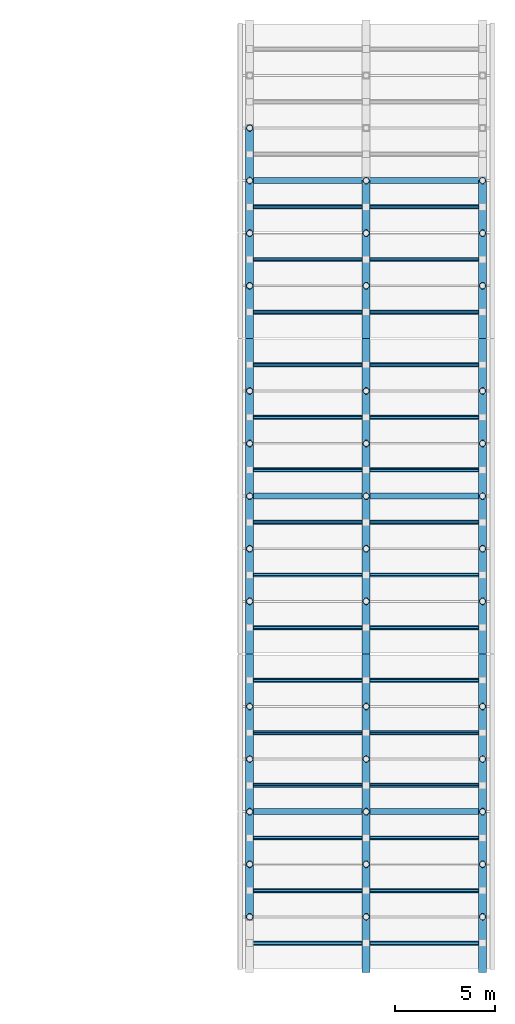
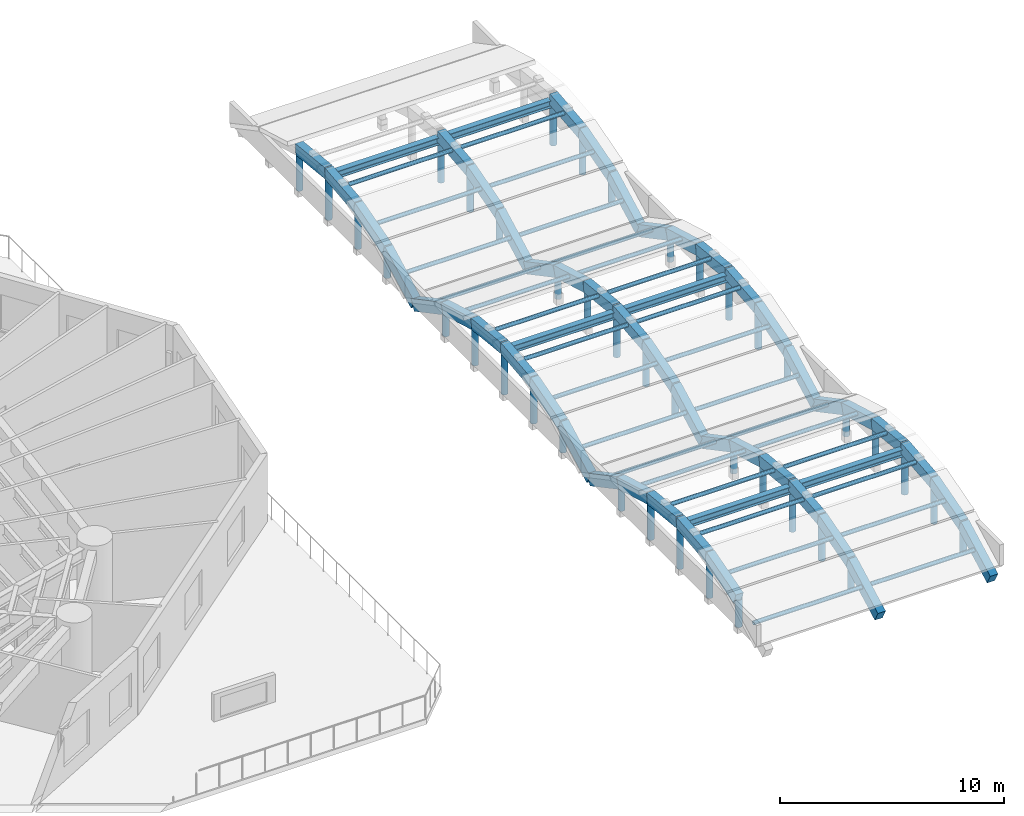
# One storey, part 3 of 16: 70 members, 51 beams.
"""IFC4 building model written with IfcOpenShell, lengths in metres."""

from ifc_helpers import new_model, si_unit, direction, frame, origin, origin_with_axes, origin_2d, place, context, subcontext, project, spatial, rectangle, hollow_circle, i_section, extrude, source, transform, mapped, material, material_profile, profile_set, type_object, element, save


model = new_model("IFC4")

# Units and contexts
model_context = context("Model", 3, precision=1e-05, world=origin(), true_north=direction((0.0, 1.0)))
body_context = subcontext(model_context, "Body", "Model", "MODEL_VIEW")
ifc_project = project(units=[si_unit("LENGTHUNIT", "METRE"), si_unit("AREAUNIT", "SQUARE_METRE"), si_unit("VOLUMEUNIT", "CUBIC_METRE"), si_unit("PLANEANGLEUNIT", "RADIAN"), si_unit("MASSUNIT", "GRAM", prefix="KILO")], contexts=[model_context])

# Site, building, storey
site_placement = place(None, origin())
site = spatial("IfcSite", under=ifc_project, at=site_placement, CompositionType="ELEMENT")
building_placement = place(site_placement, origin())
building = spatial("IfcBuilding", under=site, at=building_placement, Name="Karkom Vertical University and Central Library", CompositionType="ELEMENT")
storey_placement = place(building_placement, frame((0.0, 0.0, 22.5)))
storey = spatial("IfcBuildingStorey", under=building, at=storey_placement, Name="L05", CompositionType="ELEMENT", Elevation=22.5)

# Members
ifc_material_1 = material(Name="Steel S355", Category="steel")
ifc_material_profile_1 = material_profile(ifc_material_1, hollow_circle(Radius=0.109619140625, WallThickness=0.012451171875, at=origin_2d()), Name="CHS 219.1x12.5")
ifc_profile_set_1 = profile_set([ifc_material_profile_1], Name="Steel S355")
member_type_1 = type_object("IfcMemberType", Name="STR-MEM-PR-1", PredefinedType="PURLIN", material=ifc_profile_set_1)
shared_shape_1 = source(origin_with_axes(), body_context, "Body", "SweptSolid", [
    extrude(hollow_circle(Radius=0.109619140625, WallThickness=0.012451171875, at=origin_2d()), origin(), (0.0, 0.0, 1.0), 5.7998046875),
])
for number, where, z_axis, x_axis, name in (
    (1, (69.60009765625, 4.22998046875, 0.302490234375), (1.0, 0.0, 0.0), (0.0, 1.0, 0.0), "Library Vault 1 Purlin 1.1"),
    (2, (69.60009765625, 6.85009765625, 1.39501953125), (1.0, 0.0, 0.0), (0.0, 1.0, 0.0), "Library Vault 1 Purlin 2.1"),
    (3, (69.60009765625, 9.469970703125, 1.916015625), (1.0, 0.0, 0.0), (0.0, 1.0, 0.0), "Library Vault 1 Purlin 3.1"),
    (4, (69.60009765625, 12.090087890625, 1.916015625), (1.0, 0.0, 0.0), (0.0, 1.0, 0.0), "Library Vault 1 Purlin 4.1"),
    (5, (69.60009765625, 14.7099609375, 1.39501953125), (1.0, 0.0, 0.0), (0.0, 1.0, 0.0), "Library Vault 1 Purlin 5.1"),
    (6, (69.60009765625, 17.330078125, 0.302490234375), (1.0, 0.0, 0.0), (0.0, 1.0, 0.0), "Library Vault 1 Purlin 6.1"),
    (7, (69.60009765625, 19.949951171875, 0.302490234375), (1.0, 0.0, 0.0), (0.0, 1.0, 0.0), "Library Vault 2 Purlin 1.1"),
    (8, (69.60009765625, 22.570068359375, 1.39501953125), (1.0, 0.0, 0.0), (0.0, 1.0, 0.0), "Library Vault 2 Purlin 2.1"),
    (9, (69.60009765625, 25.18994140625, 1.916015625), (1.0, 0.0, 0.0), (0.0, 1.0, 0.0), "Library Vault 2 Purlin 3.1"),
    (10, (69.60009765625, 27.81005859375, 1.916015625), (1.0, 0.0, 0.0), (0.0, 1.0, 0.0), "Library Vault 2 Purlin 4.1"),
    (11, (69.60009765625, 30.429931640625, 1.39501953125), (1.0, 0.0, 0.0), (0.0, 1.0, 0.0), "Library Vault 2 Purlin 5.1"),
    (12, (69.60009765625, 33.050048828125, 0.302490234375), (1.0, 0.0, 0.0), (0.0, 1.0, 0.0), "Library Vault 2 Purlin 6.1"),
    (13, (69.60009765625, 35.669921875, 0.302490234375), (1.0, 0.0, 0.0), (0.0, 1.0, 0.0), "Library Vault 3 Purlin 1.1"),
    (14, (69.60009765625, 38.2900390625, 1.39501953125), (1.0, 0.0, 0.0), (0.0, 1.0, 0.0), "Library Vault 3 Purlin 2.1"),
    (15, (69.60009765625, 40.909912109375, 1.916015625), (1.0, 0.0, 0.0), (0.0, 1.0, 0.0), "Library Vault 3 Purlin 3.1"),
):
    element("IfcMember", number, at=place(storey_placement, frame(where, z_axis=z_axis, x_axis=x_axis)), inside=storey, type_object=member_type_1, Name=name, PredefinedType="PURLIN", context=body_context, shape_type="MappedRepresentation", body=[
        mapped(shared_shape_1, transform((0.0, 0.0, 0.0), scale=1.0)),
    ])
shared_shape_2 = source(origin_with_axes(), body_context, "Body", "SweptSolid", [
    extrude(hollow_circle(Radius=0.109619140625, WallThickness=0.012451171875, at=origin_2d()), origin(), (0.0, 0.0, 1.0), 5.800048828125),
])
for number, where, z_axis, x_axis, name in (
    (16, (75.39990234375, 4.22998046875, 0.302490234375), (1.0, 0.0, 0.0), (0.0, 1.0, 0.0), "Library Vault 1 Purlin 1.2"),
    (17, (75.39990234375, 6.85009765625, 1.39501953125), (1.0, 0.0, 0.0), (0.0, 1.0, 0.0), "Library Vault 1 Purlin 2.2"),
    (18, (75.39990234375, 9.469970703125, 1.916015625), (1.0, 0.0, 0.0), (0.0, 1.0, 0.0), "Library Vault 1 Purlin 3.2"),
    (19, (75.39990234375, 12.090087890625, 1.916015625), (1.0, 0.0, 0.0), (0.0, 1.0, 0.0), "Library Vault 1 Purlin 4.2"),
    (20, (75.39990234375, 14.7099609375, 1.39501953125), (1.0, 0.0, 0.0), (0.0, 1.0, 0.0), "Library Vault 1 Purlin 5.2"),
    (21, (75.39990234375, 17.330078125, 0.302490234375), (1.0, 0.0, 0.0), (0.0, 1.0, 0.0), "Library Vault 1 Purlin 6.2"),
    (22, (75.39990234375, 19.949951171875, 0.302490234375), (1.0, 0.0, 0.0), (0.0, 1.0, 0.0), "Library Vault 2 Purlin 1.2"),
    (23, (75.39990234375, 22.570068359375, 1.39501953125), (1.0, 0.0, 0.0), (0.0, 1.0, 0.0), "Library Vault 2 Purlin 2.2"),
    (24, (75.39990234375, 25.18994140625, 1.916015625), (1.0, 0.0, 0.0), (0.0, 1.0, 0.0), "Library Vault 2 Purlin 3.2"),
    (25, (75.39990234375, 27.81005859375, 1.916015625), (1.0, 0.0, 0.0), (0.0, 1.0, 0.0), "Library Vault 2 Purlin 4.2"),
    (26, (75.39990234375, 30.429931640625, 1.39501953125), (1.0, 0.0, 0.0), (0.0, 1.0, 0.0), "Library Vault 2 Purlin 5.2"),
    (27, (75.39990234375, 33.050048828125, 0.302490234375), (1.0, 0.0, 0.0), (0.0, 1.0, 0.0), "Library Vault 2 Purlin 6.2"),
    (28, (75.39990234375, 35.669921875, 0.302490234375), (1.0, 0.0, 0.0), (0.0, 1.0, 0.0), "Library Vault 3 Purlin 1.2"),
    (29, (75.39990234375, 38.2900390625, 1.39501953125), (1.0, 0.0, 0.0), (0.0, 1.0, 0.0), "Library Vault 3 Purlin 2.2"),
    (30, (75.39990234375, 40.909912109375, 1.916015625), (1.0, 0.0, 0.0), (0.0, 1.0, 0.0), "Library Vault 3 Purlin 3.2"),
):
    element("IfcMember", number, at=place(storey_placement, frame(where, z_axis=z_axis, x_axis=x_axis)), inside=storey, type_object=member_type_1, Name=name, PredefinedType="PURLIN", context=body_context, shape_type="MappedRepresentation", body=[
        mapped(shared_shape_2, transform((0.0, 0.0, 0.0), scale=1.0)),
    ])
ifc_material_profile_2 = material_profile(ifc_material_1, hollow_circle(Radius=0.161865234375, WallThickness=0.01611328125, at=origin_2d()), Name="CHS 323.9x16")
ifc_profile_set_2 = profile_set([ifc_material_profile_2], Name="Steel S355")
member_type_2 = type_object("IfcMemberType", Name="STR-MEM-PT-1", PredefinedType="POST", material=ifc_profile_set_2)
shared_shape_3 = source(origin_with_axes(), body_context, "Body", "SweptSolid", [
    extrude(hollow_circle(Radius=0.161865234375, WallThickness=0.01611328125, at=origin_2d()), origin(), (0.0, 0.0, 1.0), 1.5029296875),
])
for number, where, z_axis, x_axis, name in (
    (31, (69.60009765625, 5.5400390625, -0.64990234375), (0.0, 0.0, 1.0), (1.0, 0.0, 0.0), "Library Vault 1 Vierendeel Arch Post 1.1"),
    (32, (69.60009765625, 16.02001953125, -0.64990234375), (0.0, 0.0, 1.0), (1.0, 0.0, 0.0), "Library Vault 1 Vierendeel Arch Post 1.5"),
    (33, (75.39990234375, 5.5400390625, -0.64990234375), (0.0, 0.0, 1.0), (1.0, 0.0, 0.0), "Library Vault 1 Vierendeel Arch Post 2.1"),
    (34, (75.39990234375, 16.02001953125, -0.64990234375), (0.0, 0.0, 1.0), (1.0, 0.0, 0.0), "Library Vault 1 Vierendeel Arch Post 2.5"),
    (35, (81.199951171875, 5.5400390625, -0.64990234375), (0.0, 0.0, 1.0), (1.0, 0.0, 0.0), "Library Vault 1 Vierendeel Arch Post 3.1"),
    (36, (81.199951171875, 16.02001953125, -0.64990234375), (0.0, 0.0, 1.0), (1.0, 0.0, 0.0), "Library Vault 1 Vierendeel Arch Post 3.5"),
    (37, (69.60009765625, 21.260009765625, -0.64990234375), (0.0, 0.0, 1.0), (1.0, 0.0, 0.0), "Library Vault 2 Vierendeel Arch Post 1.1"),
    (38, (69.60009765625, 31.739990234375, -0.64990234375), (0.0, 0.0, 1.0), (1.0, 0.0, 0.0), "Library Vault 2 Vierendeel Arch Post 1.5"),
    (39, (75.39990234375, 21.260009765625, -0.64990234375), (0.0, 0.0, 1.0), (1.0, 0.0, 0.0), "Library Vault 2 Vierendeel Arch Post 2.1"),
    (40, (75.39990234375, 31.739990234375, -0.64990234375), (0.0, 0.0, 1.0), (1.0, 0.0, 0.0), "Library Vault 2 Vierendeel Arch Post 2.5"),
    (41, (81.199951171875, 21.260009765625, -0.64990234375), (0.0, 0.0, 1.0), (1.0, 0.0, 0.0), "Library Vault 2 Vierendeel Arch Post 3.1"),
    (42, (81.199951171875, 31.739990234375, -0.64990234375), (0.0, 0.0, 1.0), (1.0, 0.0, 0.0), "Library Vault 2 Vierendeel Arch Post 3.5"),
    (43, (69.60009765625, 36.97998046875, -0.64990234375), (0.0, 0.0, 1.0), (1.0, 0.0, 0.0), "Library Vault 3 Vierendeel Arch Post 1.1"),
    (44, (75.39990234375, 36.97998046875, -0.64990234375), (0.0, 0.0, 1.0), (1.0, 0.0, 0.0), "Library Vault 3 Vierendeel Arch Post 2.1"),
    (45, (81.199951171875, 36.97998046875, -0.64990234375), (0.0, 0.0, 1.0), (1.0, 0.0, 0.0), "Library Vault 3 Vierendeel Arch Post 3.1"),
):
    element("IfcMember", number, at=place(storey_placement, frame(where, z_axis=z_axis, x_axis=x_axis)), inside=storey, type_object=member_type_2, Name=name, PredefinedType="POST", context=body_context, shape_type="MappedRepresentation", body=[
        mapped(shared_shape_3, transform((0.0, 0.0, 0.0), scale=1.0)),
    ])
shared_shape_4 = source(origin_with_axes(), body_context, "Body", "SweptSolid", [
    extrude(hollow_circle(Radius=0.161865234375, WallThickness=0.01611328125, at=origin_2d()), origin(), (0.0, 0.0, 1.0), 2.25439453125),
])
for number, where, z_axis, x_axis, name in (
    (46, (69.60009765625, 8.159912109375, -0.64990234375), (0.0, 0.0, 1.0), (1.0, 0.0, 0.0), "Library Vault 1 Vierendeel Arch Post 1.2"),
    (47, (69.60009765625, 13.39990234375, -0.64990234375), (0.0, 0.0, 1.0), (1.0, 0.0, 0.0), "Library Vault 1 Vierendeel Arch Post 1.4"),
    (48, (75.39990234375, 8.159912109375, -0.64990234375), (0.0, 0.0, 1.0), (1.0, 0.0, 0.0), "Library Vault 1 Vierendeel Arch Post 2.2"),
    (49, (75.39990234375, 13.39990234375, -0.64990234375), (0.0, 0.0, 1.0), (1.0, 0.0, 0.0), "Library Vault 1 Vierendeel Arch Post 2.4"),
    (50, (81.199951171875, 8.159912109375, -0.64990234375), (0.0, 0.0, 1.0), (1.0, 0.0, 0.0), "Library Vault 1 Vierendeel Arch Post 3.2"),
    (51, (81.199951171875, 13.39990234375, -0.64990234375), (0.0, 0.0, 1.0), (1.0, 0.0, 0.0), "Library Vault 1 Vierendeel Arch Post 3.4"),
    (52, (69.60009765625, 23.8798828125, -0.64990234375), (0.0, 0.0, 1.0), (1.0, 0.0, 0.0), "Library Vault 2 Vierendeel Arch Post 1.2"),
    (53, (69.60009765625, 29.1201171875, -0.64990234375), (0.0, 0.0, 1.0), (1.0, 0.0, 0.0), "Library Vault 2 Vierendeel Arch Post 1.4"),
    (54, (75.39990234375, 23.8798828125, -0.64990234375), (0.0, 0.0, 1.0), (1.0, 0.0, 0.0), "Library Vault 2 Vierendeel Arch Post 2.2"),
    (55, (75.39990234375, 29.1201171875, -0.64990234375), (0.0, 0.0, 1.0), (1.0, 0.0, 0.0), "Library Vault 2 Vierendeel Arch Post 2.4"),
    (56, (81.199951171875, 23.8798828125, -0.64990234375), (0.0, 0.0, 1.0), (1.0, 0.0, 0.0), "Library Vault 2 Vierendeel Arch Post 3.2"),
    (57, (81.199951171875, 29.1201171875, -0.64990234375), (0.0, 0.0, 1.0), (1.0, 0.0, 0.0), "Library Vault 2 Vierendeel Arch Post 3.4"),
    (58, (69.60009765625, 39.60009765625, -0.64990234375), (0.0, 0.0, 1.0), (1.0, 0.0, 0.0), "Library Vault 3 Vierendeel Arch Post 1.2"),
    (59, (69.60009765625, 44.840087890625, -0.64990234375), (0.0, 0.0, 1.0), (1.0, 0.0, 0.0), "Library Vault 3 Vierendeel Arch Post 1.4"),
    (60, (75.39990234375, 39.60009765625, -0.64990234375), (0.0, 0.0, 1.0), (1.0, 0.0, 0.0), "Library Vault 3 Vierendeel Arch Post 2.2"),
    (61, (81.199951171875, 39.60009765625, -0.64990234375), (0.0, 0.0, 1.0), (1.0, 0.0, 0.0), "Library Vault 3 Vierendeel Arch Post 3.2"),
):
    element("IfcMember", number, at=place(storey_placement, frame(where, z_axis=z_axis, x_axis=x_axis)), inside=storey, type_object=member_type_2, Name=name, PredefinedType="POST", context=body_context, shape_type="MappedRepresentation", body=[
        mapped(shared_shape_4, transform((0.0, 0.0, 0.0), scale=1.0)),
    ])
shared_shape_5 = source(origin_with_axes(), body_context, "Body", "SweptSolid", [
    extrude(hollow_circle(Radius=0.161865234375, WallThickness=0.01611328125, at=origin_2d()), origin(), (0.0, 0.0, 1.0), 2.52978515625),
])
for number, where, z_axis, x_axis, name in (
    (62, (69.60009765625, 10.780029296875, -0.64990234375), (0.0, 0.0, 1.0), (1.0, 0.0, 0.0), "Library Vault 1 Vierendeel Arch Post 1.3"),
    (63, (75.39990234375, 10.780029296875, -0.64990234375), (0.0, 0.0, 1.0), (1.0, 0.0, 0.0), "Library Vault 1 Vierendeel Arch Post 2.3"),
    (64, (81.199951171875, 10.780029296875, -0.64990234375), (0.0, 0.0, 1.0), (1.0, 0.0, 0.0), "Library Vault 1 Vierendeel Arch Post 3.3"),
    (65, (69.60009765625, 26.5, -0.64990234375), (0.0, 0.0, 1.0), (1.0, 0.0, 0.0), "Library Vault 2 Vierendeel Arch Post 1.3"),
    (66, (75.39990234375, 26.5, -0.64990234375), (0.0, 0.0, 1.0), (1.0, 0.0, 0.0), "Library Vault 2 Vierendeel Arch Post 2.3"),
    (67, (81.199951171875, 26.5, -0.64990234375), (0.0, 0.0, 1.0), (1.0, 0.0, 0.0), "Library Vault 2 Vierendeel Arch Post 3.3"),
    (68, (69.60009765625, 42.219970703125, -0.64990234375), (0.0, 0.0, 1.0), (1.0, 0.0, 0.0), "Library Vault 3 Vierendeel Arch Post 1.3"),
    (69, (75.39990234375, 42.219970703125, -0.64990234375), (0.0, 0.0, 1.0), (1.0, 0.0, 0.0), "Library Vault 3 Vierendeel Arch Post 2.3"),
    (70, (81.199951171875, 42.219970703125, -0.64990234375), (0.0, 0.0, 1.0), (1.0, 0.0, 0.0), "Library Vault 3 Vierendeel Arch Post 3.3"),
):
    element("IfcMember", number, at=place(storey_placement, frame(where, z_axis=z_axis, x_axis=x_axis)), inside=storey, type_object=member_type_2, Name=name, PredefinedType="POST", context=body_context, shape_type="MappedRepresentation", body=[
        mapped(shared_shape_5, transform((0.0, 0.0, 0.0), scale=1.0)),
    ])

# Beams
ifc_material_2 = material(Name="Precast concrete C45/55", Category="concrete")
ifc_material_profile_3 = material_profile(ifc_material_2, rectangle(XDim=0.39990234375, YDim=0.60009765625, at=origin_2d()), Name="RCB-400x600")
ifc_profile_set_3 = profile_set([ifc_material_profile_3], Name="Precast concrete C45/55")
beam_type_1 = type_object("IfcBeamType", Name="STR-BM-VA-1", PredefinedType="BEAM", material=ifc_profile_set_3)
shared_shape_6 = source(origin_with_axes(), body_context, "Body", "SweptSolid", [
    extrude(rectangle(XDim=0.39990234375, YDim=0.60009765625, at=origin_2d()), origin(), (0.0, 0.0, 1.0), 2.967529296875),
])
for number, where, z_axis, x_axis, name in (
    (71, (75.39990234375, 2.919921875, -0.5400390625), (0.0, 0.882958015485, 0.469451960153), (-1.0, 0.0, 0.0), "Library Vault 1 Arch Rib 2 Chord 1"),
    (72, (81.199951171875, 2.919921875, -0.5400390625), (0.0, 0.882958015485, 0.469451960153), (-1.0, 0.0, 0.0), "Library Vault 1 Arch Rib 3 Chord 1"),
    (73, (69.60009765625, 18.639892578125, -0.5400390625), (0.0, 0.882958015485, 0.469451960153), (-1.0, 0.0, 0.0), "Library Vault 2 Arch Rib 1 Chord 1"),
    (74, (69.60009765625, 31.739990234375, 0.85302734375), (0.0, 0.882958015485, -0.469451960153), (-1.0, 0.0, 0.0), "Library Vault 2 Arch Rib 1 Chord 6"),
    (75, (75.39990234375, 18.639892578125, -0.5400390625), (0.0, 0.882958015485, 0.469451960153), (-1.0, 0.0, 0.0), "Library Vault 2 Arch Rib 2 Chord 1"),
    (76, (75.39990234375, 31.739990234375, 0.85302734375), (0.0, 0.882958015485, -0.469451960153), (-1.0, 0.0, 0.0), "Library Vault 2 Arch Rib 2 Chord 6"),
    (77, (81.199951171875, 18.639892578125, -0.5400390625), (0.0, 0.882958015485, 0.469451960153), (-1.0, 0.0, 0.0), "Library Vault 2 Arch Rib 3 Chord 1"),
    (78, (81.199951171875, 31.739990234375, 0.85302734375), (0.0, 0.882958015485, -0.469451960153), (-1.0, 0.0, 0.0), "Library Vault 2 Arch Rib 3 Chord 6"),
):
    element("IfcBeam", number, at=place(storey_placement, frame(where, z_axis=z_axis, x_axis=x_axis)), inside=storey, type_object=beam_type_1, Name=name, PredefinedType="BEAM", context=body_context, shape_type="MappedRepresentation", body=[
        mapped(shared_shape_6, transform((0.0, 0.0, 0.0), scale=1.0)),
    ])
shared_shape_7 = source(origin_with_axes(), body_context, "Body", "SweptSolid", [
    extrude(rectangle(XDim=0.39990234375, YDim=0.60009765625, at=origin_2d()), origin(), (0.0, 0.0, 1.0), 2.7255859375),
])
for number, where, z_axis, x_axis, name in (
    (79, (69.60009765625, 5.5400390625, 0.85302734375), (0.0, 0.961239495222, 0.275714767151), (-1.0, 0.0, 0.0), "Library Vault 1 Arch Rib 1 Chord 2"),
    (80, (75.39990234375, 5.5400390625, 0.85302734375), (0.0, 0.961239495222, 0.275714767151), (-1.0, 0.0, 0.0), "Library Vault 1 Arch Rib 2 Chord 2"),
    (81, (81.199951171875, 5.5400390625, 0.85302734375), (0.0, 0.961239495222, 0.275714767151), (-1.0, 0.0, 0.0), "Library Vault 1 Arch Rib 3 Chord 2"),
    (82, (69.60009765625, 21.260009765625, 0.85302734375), (0.0, 0.961239495222, 0.275714767151), (-1.0, 0.0, 0.0), "Library Vault 2 Arch Rib 1 Chord 2"),
    (83, (69.60009765625, 29.1201171875, 1.6044921875), (0.0, 0.961239495222, -0.275714767151), (-1.0, 0.0, 0.0), "Library Vault 2 Arch Rib 1 Chord 5"),
    (84, (75.39990234375, 21.260009765625, 0.85302734375), (0.0, 0.961239495222, 0.275714767151), (-1.0, 0.0, 0.0), "Library Vault 2 Arch Rib 2 Chord 2"),
    (85, (75.39990234375, 29.1201171875, 1.6044921875), (0.0, 0.961239495222, -0.275714767151), (-1.0, 0.0, 0.0), "Library Vault 2 Arch Rib 2 Chord 5"),
    (86, (81.199951171875, 21.260009765625, 0.85302734375), (0.0, 0.961239495222, 0.275714767151), (-1.0, 0.0, 0.0), "Library Vault 2 Arch Rib 3 Chord 2"),
    (87, (81.199951171875, 29.1201171875, 1.6044921875), (0.0, 0.961239495222, -0.275714767151), (-1.0, 0.0, 0.0), "Library Vault 2 Arch Rib 3 Chord 5"),
):
    element("IfcBeam", number, at=place(storey_placement, frame(where, z_axis=z_axis, x_axis=x_axis)), inside=storey, type_object=beam_type_1, Name=name, PredefinedType="BEAM", context=body_context, shape_type="MappedRepresentation", body=[
        mapped(shared_shape_7, transform((0.0, 0.0, 0.0), scale=1.0)),
    ])
shared_shape_8 = source(origin_with_axes(), body_context, "Body", "SweptSolid", [
    extrude(rectangle(XDim=0.39990234375, YDim=0.60009765625, at=origin_2d()), origin(), (0.0, 0.0, 1.0), 2.634521484375),
])
for number, where, z_axis, x_axis, name in (
    (88, (69.60009765625, 8.159912109375, 1.6044921875), (0.0, 0.99452168972, 0.104530419866), (-1.0, 0.0, 0.0), "Library Vault 1 Arch Rib 1 Chord 3"),
    (89, (75.39990234375, 8.159912109375, 1.6044921875), (0.0, 0.99452168972, 0.104530419866), (-1.0, 0.0, 0.0), "Library Vault 1 Arch Rib 2 Chord 3"),
    (90, (81.199951171875, 8.159912109375, 1.6044921875), (0.0, 0.99452168972, 0.104530419866), (-1.0, 0.0, 0.0), "Library Vault 1 Arch Rib 3 Chord 3"),
    (91, (69.60009765625, 23.8798828125, 1.6044921875), (0.0, 0.99452168972, 0.104530419866), (-1.0, 0.0, 0.0), "Library Vault 2 Arch Rib 1 Chord 3"),
    (92, (69.60009765625, 26.5, 1.8798828125), (0.0, 0.99452168972, -0.104530419866), (-1.0, 0.0, 0.0), "Library Vault 2 Arch Rib 1 Chord 4"),
    (93, (75.39990234375, 23.8798828125, 1.6044921875), (0.0, 0.99452168972, 0.104530419866), (-1.0, 0.0, 0.0), "Library Vault 2 Arch Rib 2 Chord 3"),
    (94, (75.39990234375, 26.5, 1.8798828125), (0.0, 0.99452168972, -0.104530419866), (-1.0, 0.0, 0.0), "Library Vault 2 Arch Rib 2 Chord 4"),
    (95, (81.199951171875, 23.8798828125, 1.6044921875), (0.0, 0.99452168972, 0.104530419866), (-1.0, 0.0, 0.0), "Library Vault 2 Arch Rib 3 Chord 3"),
    (96, (81.199951171875, 26.5, 1.8798828125), (0.0, 0.99452168972, -0.104530419866), (-1.0, 0.0, 0.0), "Library Vault 2 Arch Rib 3 Chord 4"),
    (97, (69.60009765625, 42.219970703125, 1.8798828125), (0.0, 0.99452168972, -0.104530419866), (-1.0, 0.0, 0.0), "Library Vault 3 Arch Rib 1 Chord 4"),
):
    element("IfcBeam", number, at=place(storey_placement, frame(where, z_axis=z_axis, x_axis=x_axis)), inside=storey, type_object=beam_type_1, Name=name, PredefinedType="BEAM", context=body_context, shape_type="MappedRepresentation", body=[
        mapped(shared_shape_8, transform((0.0, 0.0, 0.0), scale=1.0)),
    ])
shared_shape_9 = source(origin_with_axes(), body_context, "Body", "SweptSolid", [
    extrude(rectangle(XDim=0.39990234375, YDim=0.60009765625, at=origin_2d()), origin(), (0.0, 0.0, 1.0), 2.63427734375),
])
for number, where, z_axis, x_axis, name in (
    (98, (69.60009765625, 10.780029296875, 1.8798828125), (0.0, 0.994520677024, -0.104540054392), (-1.0, 0.0, 0.0), "Library Vault 1 Arch Rib 1 Chord 4"),
    (99, (75.39990234375, 10.780029296875, 1.8798828125), (0.0, 0.994520677024, -0.104540054392), (-1.0, 0.0, 0.0), "Library Vault 1 Arch Rib 2 Chord 4"),
    (100, (81.199951171875, 10.780029296875, 1.8798828125), (0.0, 0.994520677024, -0.104540054392), (-1.0, 0.0, 0.0), "Library Vault 1 Arch Rib 3 Chord 4"),
    (101, (69.60009765625, 39.60009765625, 1.6044921875), (0.0, 0.994520677024, 0.104540054392), (-1.0, 0.0, 0.0), "Library Vault 3 Arch Rib 1 Chord 3"),
    (102, (75.39990234375, 39.60009765625, 1.6044921875), (0.0, 0.994520677024, 0.104540054392), (-1.0, 0.0, 0.0), "Library Vault 3 Arch Rib 2 Chord 3"),
    (103, (81.199951171875, 39.60009765625, 1.6044921875), (0.0, 0.994520677024, 0.104540054392), (-1.0, 0.0, 0.0), "Library Vault 3 Arch Rib 3 Chord 3"),
):
    element("IfcBeam", number, at=place(storey_placement, frame(where, z_axis=z_axis, x_axis=x_axis)), inside=storey, type_object=beam_type_1, Name=name, PredefinedType="BEAM", context=body_context, shape_type="MappedRepresentation", body=[
        mapped(shared_shape_9, transform((0.0, 0.0, 0.0), scale=1.0)),
    ])
shared_shape_10 = source(origin_with_axes(), body_context, "Body", "SweptSolid", [
    extrude(rectangle(XDim=0.39990234375, YDim=0.60009765625, at=origin_2d()), origin(), (0.0, 0.0, 1.0), 2.725830078125),
])
for number, where, z_axis, x_axis, name in (
    (104, (69.60009765625, 13.39990234375, 1.6044921875), (0.0, 0.961246303784, -0.275691028983), (-1.0, 0.0, 0.0), "Library Vault 1 Arch Rib 1 Chord 5"),
    (105, (75.39990234375, 13.39990234375, 1.6044921875), (0.0, 0.961246303784, -0.275691028983), (-1.0, 0.0, 0.0), "Library Vault 1 Arch Rib 2 Chord 5"),
    (106, (81.199951171875, 13.39990234375, 1.6044921875), (0.0, 0.961246303784, -0.275691028983), (-1.0, 0.0, 0.0), "Library Vault 1 Arch Rib 3 Chord 5"),
    (107, (69.60009765625, 36.97998046875, 0.85302734375), (0.0, 0.961246303784, 0.275691028983), (-1.0, 0.0, 0.0), "Library Vault 3 Arch Rib 1 Chord 2"),
    (108, (75.39990234375, 36.97998046875, 0.85302734375), (0.0, 0.961246303784, 0.275691028983), (-1.0, 0.0, 0.0), "Library Vault 3 Arch Rib 2 Chord 2"),
    (109, (81.199951171875, 36.97998046875, 0.85302734375), (0.0, 0.961246303784, 0.275691028983), (-1.0, 0.0, 0.0), "Library Vault 3 Arch Rib 3 Chord 2"),
):
    element("IfcBeam", number, at=place(storey_placement, frame(where, z_axis=z_axis, x_axis=x_axis)), inside=storey, type_object=beam_type_1, Name=name, PredefinedType="BEAM", context=body_context, shape_type="MappedRepresentation", body=[
        mapped(shared_shape_10, transform((0.0, 0.0, 0.0), scale=1.0)),
    ])
shared_shape_11 = source(origin_with_axes(), body_context, "Body", "SweptSolid", [
    extrude(rectangle(XDim=0.39990234375, YDim=0.60009765625, at=origin_2d()), origin(), (0.0, 0.0, 1.0), 2.96728515625),
])
for number, where, z_axis, x_axis, name in (
    (110, (69.60009765625, 16.02001953125, 0.85302734375), (0.0, 0.882939881676, -0.469486065124), (-1.0, 0.0, 0.0), "Library Vault 1 Arch Rib 1 Chord 6"),
    (111, (75.39990234375, 16.02001953125, 0.85302734375), (0.0, 0.882939881676, -0.469486065124), (-1.0, 0.0, 0.0), "Library Vault 1 Arch Rib 2 Chord 6"),
    (112, (81.199951171875, 16.02001953125, 0.85302734375), (0.0, 0.882939881676, -0.469486065124), (-1.0, 0.0, 0.0), "Library Vault 1 Arch Rib 3 Chord 6"),
    (113, (69.60009765625, 34.360107421875, -0.5400390625), (0.0, 0.882939881676, 0.469486065124), (-1.0, 0.0, 0.0), "Library Vault 3 Arch Rib 1 Chord 1"),
    (114, (75.39990234375, 34.360107421875, -0.5400390625), (0.0, 0.882939881676, 0.469486065124), (-1.0, 0.0, 0.0), "Library Vault 3 Arch Rib 2 Chord 1"),
    (115, (81.199951171875, 34.360107421875, -0.5400390625), (0.0, 0.882939881676, 0.469486065124), (-1.0, 0.0, 0.0), "Library Vault 3 Arch Rib 3 Chord 1"),
):
    element("IfcBeam", number, at=place(storey_placement, frame(where, z_axis=z_axis, x_axis=x_axis)), inside=storey, type_object=beam_type_1, Name=name, PredefinedType="BEAM", context=body_context, shape_type="MappedRepresentation", body=[
        mapped(shared_shape_11, transform((0.0, 0.0, 0.0), scale=1.0)),
    ])
ifc_material_profile_4 = material_profile(ifc_material_1, i_section(OverallWidth=0.300048828125, OverallDepth=0.39990234375, WebThickness=0.013427734375, FlangeThickness=0.02392578125, FilletRadius=0.027099609375, at=origin_2d()), Name="HE 400 B")
ifc_profile_set_4 = profile_set([ifc_material_profile_4], Name="Steel S355")
beam_type_2 = type_object("IfcBeamType", Name="STR-BM-SB-HE400", PredefinedType="BEAM", material=ifc_profile_set_4)
shared_shape_12 = source(origin_with_axes(), body_context, "Body", "SweptSolid", [
    extrude(i_section(OverallWidth=0.300048828125, OverallDepth=0.39990234375, WebThickness=0.013427734375, FlangeThickness=0.02392578125, FilletRadius=0.027099609375, at=origin_2d()), origin(), (0.0, 0.0, 1.0), 5.7998046875),
])
for number, where, z_axis, x_axis, name in (
    (116, (69.60009765625, 10.780029296875, 1.669921875), (1.0, 0.0, 0.0), (0.0, 1.0, 0.0), "Library Vault 1 Ridge Tie Beam 1"),
    (117, (69.60009765625, 26.5, 1.669921875), (1.0, 0.0, 0.0), (0.0, 1.0, 0.0), "Library Vault 2 Ridge Tie Beam 1"),
    (118, (69.60009765625, 42.219970703125, 1.669921875), (1.0, 0.0, 0.0), (0.0, 1.0, 0.0), "Library Vault 3 Ridge Tie Beam 1"),
):
    element("IfcBeam", number, at=place(storey_placement, frame(where, z_axis=z_axis, x_axis=x_axis)), inside=storey, type_object=beam_type_2, Name=name, PredefinedType="BEAM", context=body_context, shape_type="MappedRepresentation", body=[
        mapped(shared_shape_12, transform((0.0, 0.0, 0.0), scale=1.0)),
    ])
shared_shape_13 = source(origin_with_axes(), body_context, "Body", "SweptSolid", [
    extrude(i_section(OverallWidth=0.300048828125, OverallDepth=0.39990234375, WebThickness=0.013427734375, FlangeThickness=0.02392578125, FilletRadius=0.027099609375, at=origin_2d()), origin(), (0.0, 0.0, 1.0), 5.800048828125),
])
for number, where, z_axis, x_axis, name in (
    (119, (75.39990234375, 10.780029296875, 1.669921875), (1.0, 0.0, 0.0), (0.0, 1.0, 0.0), "Library Vault 1 Ridge Tie Beam 2"),
    (120, (75.39990234375, 26.5, 1.669921875), (1.0, 0.0, 0.0), (0.0, 1.0, 0.0), "Library Vault 2 Ridge Tie Beam 2"),
    (121, (75.39990234375, 42.219970703125, 1.669921875), (1.0, 0.0, 0.0), (0.0, 1.0, 0.0), "Library Vault 3 Ridge Tie Beam 2"),
):
    element("IfcBeam", number, at=place(storey_placement, frame(where, z_axis=z_axis, x_axis=x_axis)), inside=storey, type_object=beam_type_2, Name=name, PredefinedType="BEAM", context=body_context, shape_type="MappedRepresentation", body=[
        mapped(shared_shape_13, transform((0.0, 0.0, 0.0), scale=1.0)),
    ])

save(model, "model.ifc")
